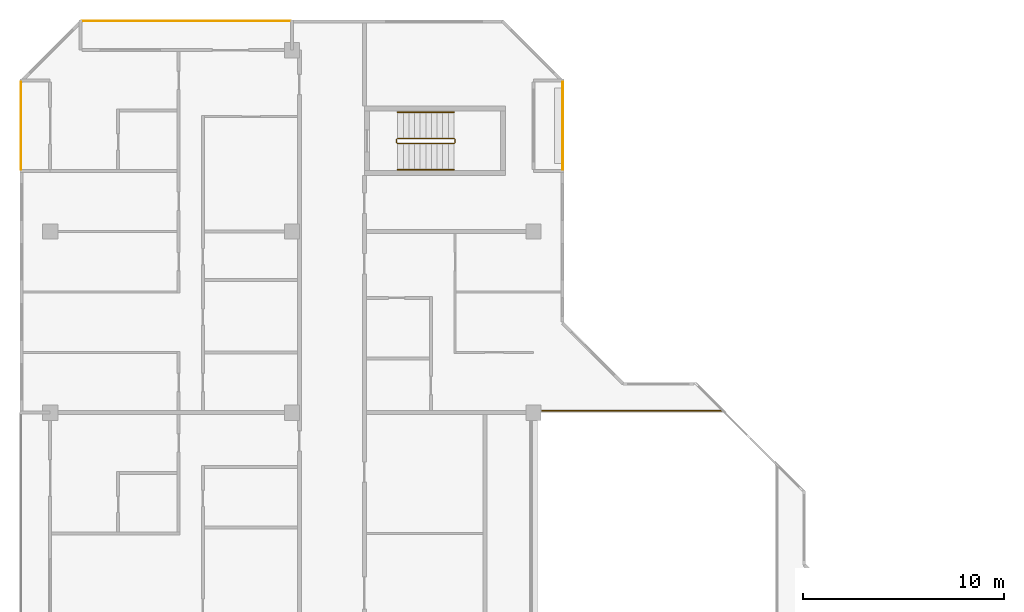
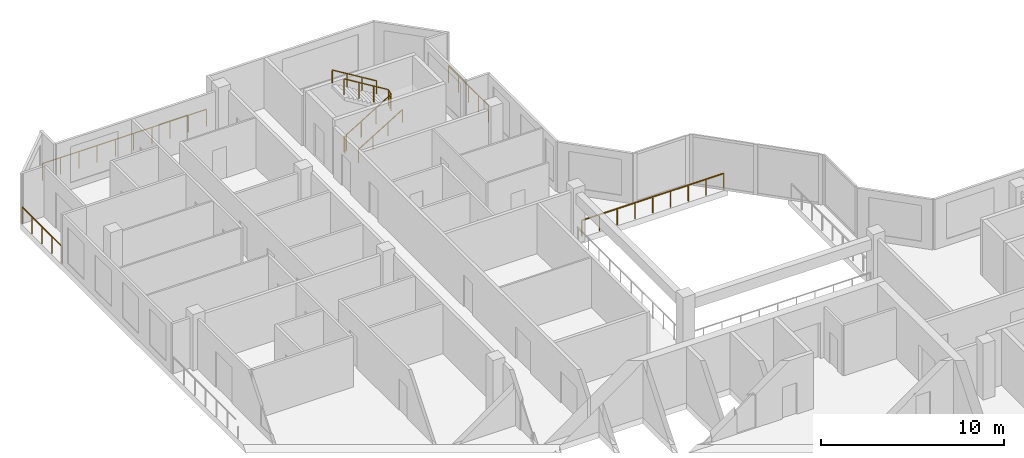
# One storey, part 12 of 12: 7 railings.
"""IFC4 building model written with IfcOpenShell, lengths in metres."""

from ifc_helpers import new_model, si_unit, direction, frame, origin, origin_2d, place, context, subcontext, project, spatial, rectangle, extrude, material, type_object, element, save


model = new_model("IFC4")

# Units and contexts
model_context = context("Model", 3, precision=1e-05, world=origin(), true_north=direction((0.0, 1.0)))
body_context = subcontext(model_context, "Body", "Model", "MODEL_VIEW")
ifc_project = project(units=[si_unit("LENGTHUNIT", "METRE"), si_unit("AREAUNIT", "SQUARE_METRE"), si_unit("VOLUMEUNIT", "CUBIC_METRE"), si_unit("PLANEANGLEUNIT", "RADIAN"), si_unit("MASSUNIT", "GRAM", prefix="KILO")], contexts=[model_context])

# Site, building, storey
site_placement = place(None, origin())
site = spatial("IfcSite", under=ifc_project, at=site_placement, CompositionType="ELEMENT")
building_placement = place(site_placement, origin())
building = spatial("IfcBuilding", under=site, at=building_placement, Name="Chenar Terraces", CompositionType="ELEMENT")
storey_placement = place(building_placement, frame((0.0, 0.0, 342.64990234375)))
storey = spatial("IfcBuildingStorey", under=building, at=storey_placement, Name="L79", CompositionType="ELEMENT", Elevation=342.64990234375)

# Railings
ifc_material_1 = material(Name="Powder-coated steel", Category="steel")
railing_type_1 = type_object("IfcRailingType", Name="Guard 1100 steel rail with glass infill", PredefinedType="GUARDRAIL", material=ifc_material_1)
railing_1_placement = place(storey_placement, frame((24.425048828125, 36.10009765625, 0.0)))
element("IfcRailing", 1, at=railing_1_placement, inside=storey, type_object=railing_type_1, Name="Guard L79-2", PredefinedType="GUARDRAIL", context=body_context, shape_type="SweptSolid", body=[
    extrude(rectangle(XDim=0.06005859375, YDim=0.06005859375, at=origin_2d()), frame((0.0, 0.0, 1.070068359375), z_axis=(1.0, 0.0, 0.0), x_axis=(0.0, 1.0, 0.0)), (0.0, 0.0, 1.0), 8.974853515625),
    extrude(rectangle(XDim=0.050048828125, YDim=0.050048828125, at=origin_2d()), origin(), (0.0, 0.0, 1.0), 1.0400390625),
    extrude(rectangle(XDim=0.050048828125, YDim=0.050048828125, at=origin_2d()), frame((1.121826171875, 0.0, 0.0)), (0.0, 0.0, 1.0), 1.0400390625),
    extrude(rectangle(XDim=0.050048828125, YDim=0.050048828125, at=origin_2d()), frame((2.24365234375, 0.0, 0.0)), (0.0, 0.0, 1.0), 1.0400390625),
    extrude(rectangle(XDim=0.050048828125, YDim=0.050048828125, at=origin_2d()), frame((3.365478515625, 0.0, 0.0)), (0.0, 0.0, 1.0), 1.0400390625),
    extrude(rectangle(XDim=0.050048828125, YDim=0.050048828125, at=origin_2d()), frame((4.4873046875, 0.0, 0.0)), (0.0, 0.0, 1.0), 1.0400390625),
    extrude(rectangle(XDim=0.050048828125, YDim=0.050048828125, at=origin_2d()), frame((5.609375, 0.0, 0.0)), (0.0, 0.0, 1.0), 1.0400390625),
    extrude(rectangle(XDim=0.050048828125, YDim=0.050048828125, at=origin_2d()), frame((6.731201171875, 0.0, 0.0)), (0.0, 0.0, 1.0), 1.0400390625),
    extrude(rectangle(XDim=0.050048828125, YDim=0.050048828125, at=origin_2d()), frame((7.85302734375, 0.0, 0.0)), (0.0, 0.0, 1.0), 1.0400390625),
    extrude(rectangle(XDim=0.050048828125, YDim=0.050048828125, at=origin_2d()), frame((8.974853515625, 0.0, 0.0)), (0.0, 0.0, 1.0), 1.0400390625),
])
ifc_material_2 = material(Name="Stainless steel and glass", Category="steel")
railing_type_2 = type_object("IfcRailingType", Name="Loggia guard 1150", PredefinedType="GUARDRAIL", material=ifc_material_2)
railing_2_placement = place(storey_placement, frame((25.449951171875, 48.074951171875, 0.0)))
element("IfcRailing", 2, at=railing_2_placement, inside=storey, type_object=railing_type_2, Name="Loggia guard", PredefinedType="GUARDRAIL", context=body_context, shape_type="SweptSolid", body=[
    extrude(rectangle(XDim=0.048095703125, YDim=0.048095703125, at=origin_2d()), frame((0.0, 0.0, 1.1259765625), z_axis=(0.0, 1.0, 0.0), x_axis=(-1.0, 0.0, 0.0)), (0.0, 0.0, 1.0), 4.35009765625),
    extrude(rectangle(XDim=0.0419921875, YDim=0.0419921875, at=origin_2d()), origin(), (0.0, 0.0, 1.0), 1.101806640625),
    extrude(rectangle(XDim=0.0419921875, YDim=0.0419921875, at=origin_2d()), frame((0.0, 1.08740234375, 0.0)), (0.0, 0.0, 1.0), 1.101806640625),
    extrude(rectangle(XDim=0.0419921875, YDim=0.0419921875, at=origin_2d()), frame((0.0, 2.175048828125, 0.0)), (0.0, 0.0, 1.0), 1.101806640625),
    extrude(rectangle(XDim=0.0419921875, YDim=0.0419921875, at=origin_2d()), frame((0.0, 3.2626953125, 0.0)), (0.0, 0.0, 1.0), 1.101806640625),
    extrude(rectangle(XDim=0.0419921875, YDim=0.0419921875, at=origin_2d()), frame((0.0, 4.35009765625, 0.0)), (0.0, 0.0, 1.0), 1.101806640625),
])
railing_3_placement = place(storey_placement, frame((11.925048828125, 55.449951171875, 0.0)))
element("IfcRailing", 3, at=railing_3_placement, inside=storey, type_object=railing_type_2, Name="Loggia guard", PredefinedType="GUARDRAIL", context=body_context, shape_type="SweptSolid", body=[
    extrude(rectangle(XDim=0.048095703125, YDim=0.048095703125, at=origin_2d()), frame((0.0, 0.0, 1.1259765625), z_axis=(-1.0, 0.0, 0.0), x_axis=(0.0, -1.0, 0.0)), (0.0, 0.0, 1.0), 10.35009765625),
    extrude(rectangle(XDim=0.0419921875, YDim=0.0419921875, at=origin_2d()), origin(), (0.0, 0.0, 1.0), 1.101806640625),
    extrude(rectangle(XDim=0.0419921875, YDim=0.0419921875, at=origin_2d()), frame((-1.14990234375, 0.0, 0.0)), (0.0, 0.0, 1.0), 1.101806640625),
    extrude(rectangle(XDim=0.0419921875, YDim=0.0419921875, at=origin_2d()), frame((-2.300048828125, 0.0, 0.0)), (0.0, 0.0, 1.0), 1.101806640625),
    extrude(rectangle(XDim=0.0419921875, YDim=0.0419921875, at=origin_2d()), frame((-3.449951171875, 0.0, 0.0)), (0.0, 0.0, 1.0), 1.101806640625),
    extrude(rectangle(XDim=0.0419921875, YDim=0.0419921875, at=origin_2d()), frame((-4.60009765625, 0.0, 0.0)), (0.0, 0.0, 1.0), 1.101806640625),
    extrude(rectangle(XDim=0.0419921875, YDim=0.0419921875, at=origin_2d()), frame((-5.75, 0.0, 0.0)), (0.0, 0.0, 1.0), 1.101806640625),
    extrude(rectangle(XDim=0.0419921875, YDim=0.0419921875, at=origin_2d()), frame((-6.900146484375, 0.0, 0.0)), (0.0, 0.0, 1.0), 1.101806640625),
    extrude(rectangle(XDim=0.0419921875, YDim=0.0419921875, at=origin_2d()), frame((-8.050048828125, 0.0, 0.0)), (0.0, 0.0, 1.0), 1.101806640625),
    extrude(rectangle(XDim=0.0419921875, YDim=0.0419921875, at=origin_2d()), frame((-9.2001953125, 0.0, 0.0)), (0.0, 0.0, 1.0), 1.101806640625),
    extrude(rectangle(XDim=0.0419921875, YDim=0.0419921875, at=origin_2d()), frame((-10.35009765625, 0.0, 0.0)), (0.0, 0.0, 1.0), 1.101806640625),
])
railing_4_placement = place(storey_placement, frame((-1.449951171875, 52.425048828125, 0.0)))
element("IfcRailing", 4, at=railing_4_placement, inside=storey, type_object=railing_type_2, Name="Loggia guard", PredefinedType="GUARDRAIL", context=body_context, shape_type="SweptSolid", body=[
    extrude(rectangle(XDim=0.048095703125, YDim=0.048095703125, at=origin_2d()), frame((0.0, 0.0, 1.1259765625), z_axis=(0.0, -1.0, 0.0), x_axis=(1.0, 0.0, 0.0)), (0.0, 0.0, 1.0), 4.35009765625),
    extrude(rectangle(XDim=0.0419921875, YDim=0.0419921875, at=origin_2d()), origin(), (0.0, 0.0, 1.0), 1.101806640625),
    extrude(rectangle(XDim=0.0419921875, YDim=0.0419921875, at=origin_2d()), frame((0.0, -1.08740234375, 0.0)), (0.0, 0.0, 1.0), 1.101806640625),
    extrude(rectangle(XDim=0.0419921875, YDim=0.0419921875, at=origin_2d()), frame((0.0, -2.175048828125, 0.0)), (0.0, 0.0, 1.0), 1.101806640625),
    extrude(rectangle(XDim=0.0419921875, YDim=0.0419921875, at=origin_2d()), frame((0.0, -3.2626953125, 0.0)), (0.0, 0.0, 1.0), 1.101806640625),
    extrude(rectangle(XDim=0.0419921875, YDim=0.0419921875, at=origin_2d()), frame((0.0, -4.35009765625, 0.0)), (0.0, 0.0, 1.0), 1.101806640625),
])
ifc_material_3 = material(Name="Powder-coated steel", Category="steel")
railing_type_3 = type_object("IfcRailingType", Name="Stair guard 1100", PredefinedType="GUARDRAIL", material=ifc_material_3)
railing_5_placement = place(storey_placement, frame((17.25, 49.625, 3.75)))
element("IfcRailing", 5, at=railing_5_placement, inside=storey, type_object=railing_type_3, Name="L79 ST4 stair guard 1", PredefinedType="GUARDRAIL", context=body_context, shape_type="SweptSolid", body=[
    extrude(rectangle(XDim=0.048095703125, YDim=0.048095703125, at=origin_2d()), frame((0.0, 0.0, 1.076171875), z_axis=(0.854202870247, 0.0, -0.519939858505), x_axis=(0.0, 1.0, 0.0)), (0.0, 0.0, 1.0), 3.278076171875),
    extrude(rectangle(XDim=0.048095703125, YDim=0.048095703125, at=origin_2d()), frame((2.800048828125, 0.0, -0.62841796875), z_axis=(0.270899902878, -0.270899902878, -0.923702595667), x_axis=(0.707106781187, 0.707106781187, 0.0)), (0.0, 0.0, 1.0), 0.184814453125),
    extrude(rectangle(XDim=0.048095703125, YDim=0.048095703125, at=origin_2d()), frame((2.85009765625, -0.050048828125, -0.798828125), z_axis=(0.0, -1.0, 0.0), x_axis=(1.0, 0.0, 0.0)), (0.0, 0.0, 1.0), 0.14990234375),
    extrude(rectangle(XDim=0.048095703125, YDim=0.048095703125, at=origin_2d()), frame((2.85009765625, -0.199951171875, -0.798828125), z_axis=(-0.707106781187, -0.707106781187, 0.0), x_axis=(0.707106781187, -0.707106781187, 0.0)), (0.0, 0.0, 1.0), 0.07080078125),
    extrude(rectangle(XDim=0.048095703125, YDim=0.048095703125, at=origin_2d()), frame((2.800048828125, -0.25, -0.798828125), z_axis=(-0.854202870247, 0.0, -0.519939858505), x_axis=(0.0, -1.0, 0.0)), (0.0, 0.0, 1.0), 3.278076171875),
    extrude(rectangle(XDim=0.048095703125, YDim=0.048095703125, at=origin_2d()), frame((0.0, -0.25, -2.50341796875), z_axis=(-0.270899902878, 0.270899902878, -0.923702595667), x_axis=(-0.707106781187, -0.707106781187, 0.0)), (0.0, 0.0, 1.0), 0.184814453125),
    extrude(rectangle(XDim=0.048095703125, YDim=0.048095703125, at=origin_2d()), frame((-0.050048828125, -0.199951171875, -2.673828125), z_axis=(0.0, 1.0, 0.0), x_axis=(-1.0, 0.0, 0.0)), (0.0, 0.0, 1.0), 0.14990234375),
    extrude(rectangle(XDim=0.0419921875, YDim=0.0419921875, at=origin_2d()), origin(), (0.0, 0.0, 1.0), 1.052001953125),
    extrude(rectangle(XDim=0.0419921875, YDim=0.0419921875, at=origin_2d()), frame((0.933349609375, 0.0, -0.568115234375)), (0.0, 0.0, 1.0), 1.052001953125),
    extrude(rectangle(XDim=0.0419921875, YDim=0.0419921875, at=origin_2d()), frame((1.86669921875, 0.0, -1.13623046875)), (0.0, 0.0, 1.0), 1.052001953125),
    extrude(rectangle(XDim=0.0419921875, YDim=0.0419921875, at=origin_2d()), frame((2.800048828125, 0.0, -1.704345703125)), (0.0, 0.0, 1.0), 1.052001953125),
    extrude(rectangle(XDim=0.0419921875, YDim=0.0419921875, at=origin_2d()), frame((2.85009765625, -0.050048828125, -1.875)), (0.0, 0.0, 1.0), 1.052001953125),
    extrude(rectangle(XDim=0.0419921875, YDim=0.0419921875, at=origin_2d()), frame((2.85009765625, -0.199951171875, -1.875)), (0.0, 0.0, 1.0), 1.052001953125),
    extrude(rectangle(XDim=0.0419921875, YDim=0.0419921875, at=origin_2d()), frame((2.800048828125, -0.25, -1.875)), (0.0, 0.0, 1.0), 1.052001953125),
    extrude(rectangle(XDim=0.0419921875, YDim=0.0419921875, at=origin_2d()), frame((1.86669921875, -0.25, -2.443115234375)), (0.0, 0.0, 1.0), 1.052001953125),
    extrude(rectangle(XDim=0.0419921875, YDim=0.0419921875, at=origin_2d()), frame((0.933349609375, -0.25, -3.01123046875)), (0.0, 0.0, 1.0), 1.052001953125),
    extrude(rectangle(XDim=0.0419921875, YDim=0.0419921875, at=origin_2d()), frame((0.0, -0.25, -3.579345703125)), (0.0, 0.0, 1.0), 1.052001953125),
    extrude(rectangle(XDim=0.0419921875, YDim=0.0419921875, at=origin_2d()), frame((-0.050048828125, -0.199951171875, -3.75)), (0.0, 0.0, 1.0), 1.052001953125),
    extrude(rectangle(XDim=0.0419921875, YDim=0.0419921875, at=origin_2d()), frame((-0.050048828125, -0.050048828125, -3.75)), (0.0, 0.0, 1.0), 1.052001953125),
])
ifc_material_4 = material(Name="Powder-coated steel", Category="steel")
railing_type_4 = type_object("IfcRailingType", Name="Stair handrail 900", PredefinedType="HANDRAIL", material=ifc_material_4)
railing_6_placement = place(storey_placement, frame((17.25, 48.074951171875, 0.170654296875)))
element("IfcRailing", 6, at=railing_6_placement, inside=storey, type_object=railing_type_4, Name="L79 ST4 stair handrail 1", PredefinedType="HANDRAIL", context=body_context, shape_type="SweptSolid", body=[
    extrude(rectangle(XDim=0.048095703125, YDim=0.048095703125, at=origin_2d()), frame((0.0, 0.0, 0.8759765625), z_axis=(0.854202870247, 0.0, 0.519939858505), x_axis=(0.0, 1.0, 0.0)), (0.0, 0.0, 1.0), 3.278076171875),
    extrude(rectangle(XDim=0.0419921875, YDim=0.0419921875, at=origin_2d()), origin(), (0.0, 0.0, 1.0), 0.851806640625),
    extrude(rectangle(XDim=0.0419921875, YDim=0.0419921875, at=origin_2d()), frame((0.933349609375, 0.0, 0.568115234375)), (0.0, 0.0, 1.0), 0.851806640625),
    extrude(rectangle(XDim=0.0419921875, YDim=0.0419921875, at=origin_2d()), frame((1.86669921875, 0.0, 1.13623046875)), (0.0, 0.0, 1.0), 0.851806640625),
    extrude(rectangle(XDim=0.0419921875, YDim=0.0419921875, at=origin_2d()), frame((2.800048828125, 0.0, 1.704345703125)), (0.0, 0.0, 1.0), 0.851806640625),
])
railing_7_placement = place(storey_placement, frame((20.050048828125, 50.925048828125, 2.045654296875)))
element("IfcRailing", 7, at=railing_7_placement, inside=storey, type_object=railing_type_4, Name="L79 ST4 stair handrail 2", PredefinedType="HANDRAIL", context=body_context, shape_type="SweptSolid", body=[
    extrude(rectangle(XDim=0.048095703125, YDim=0.048095703125, at=origin_2d()), frame((0.0, 0.0, 0.8759765625), z_axis=(-0.854202870247, 0.0, 0.519939858505), x_axis=(0.0, -1.0, 0.0)), (0.0, 0.0, 1.0), 3.278076171875),
    extrude(rectangle(XDim=0.0419921875, YDim=0.0419921875, at=origin_2d()), origin(), (0.0, 0.0, 1.0), 0.851806640625),
    extrude(rectangle(XDim=0.0419921875, YDim=0.0419921875, at=origin_2d()), frame((-0.933349609375, 0.0, 0.568115234375)), (0.0, 0.0, 1.0), 0.851806640625),
    extrude(rectangle(XDim=0.0419921875, YDim=0.0419921875, at=origin_2d()), frame((-1.86669921875, 0.0, 1.13623046875)), (0.0, 0.0, 1.0), 0.851806640625),
    extrude(rectangle(XDim=0.0419921875, YDim=0.0419921875, at=origin_2d()), frame((-2.800048828125, 0.0, 1.704345703125)), (0.0, 0.0, 1.0), 0.851806640625),
])

save(model, "model.ifc")
